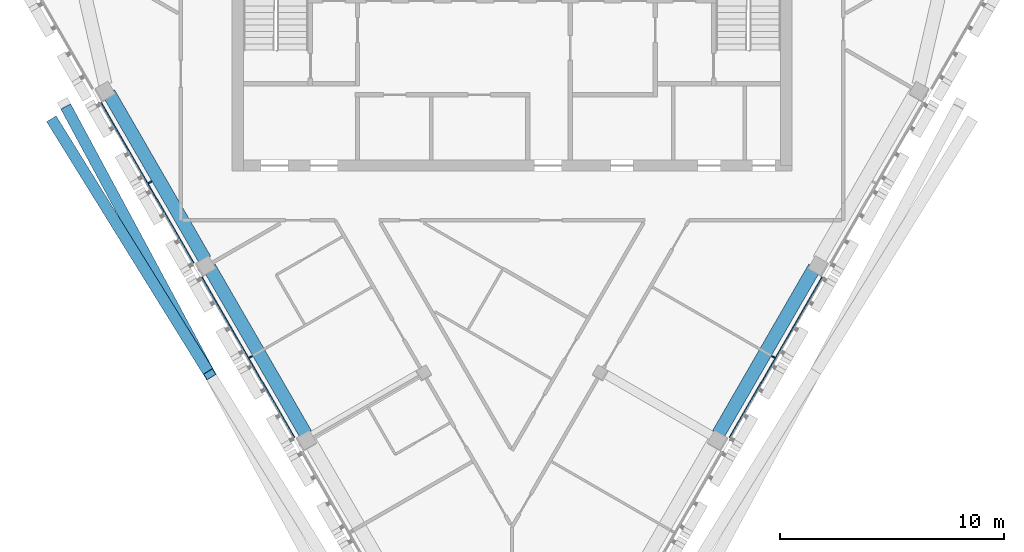
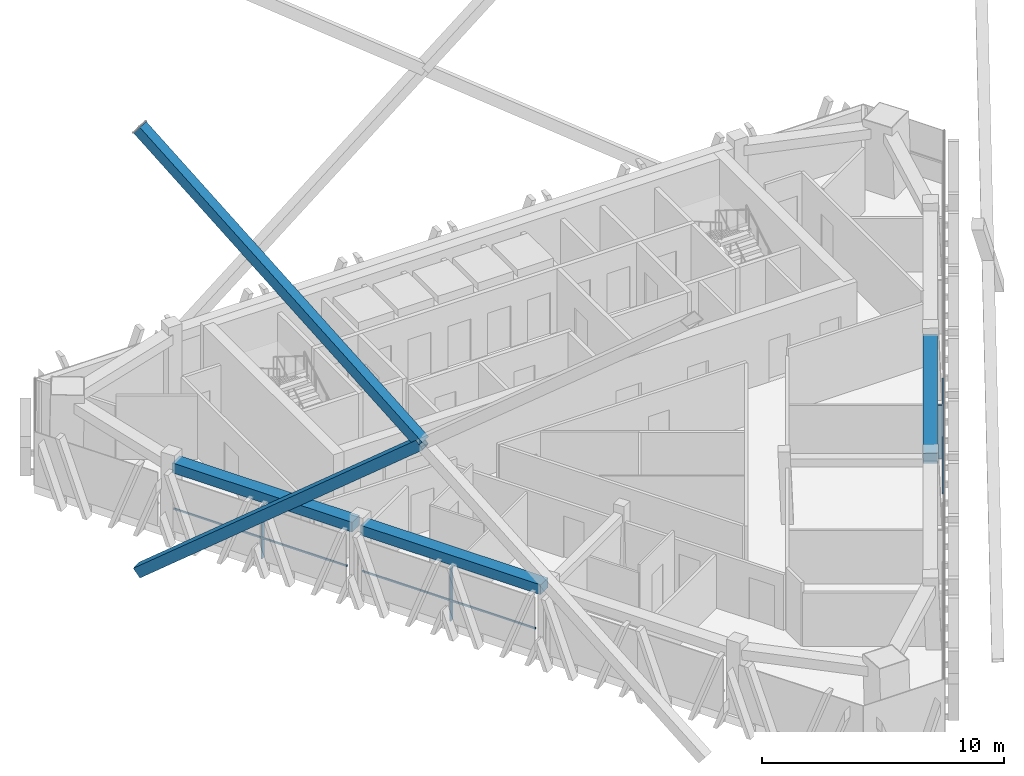
# One storey, part 3 of 12: 8 members, 3 beams, 2 elements without a shape of their own.
"""IFC4 building model written with IfcOpenShell, lengths in metres."""

from ifc_helpers import new_model, si_unit, direction, frame, origin, origin_2d, place, context, subcontext, project, spatial, rectangle, hollow_rectangle, extrude, material, layer, layer_set, material_profile, profile_set, type_object, element, aggregate, save


model = new_model("IFC4")

# Units and contexts
model_context = context("Model", 3, precision=1e-05, world=origin(), true_north=direction((0.0, 1.0)))
body_context = subcontext(model_context, "Body", "Model", "MODEL_VIEW")
ifc_project = project(units=[si_unit("LENGTHUNIT", "METRE"), si_unit("AREAUNIT", "SQUARE_METRE"), si_unit("VOLUMEUNIT", "CUBIC_METRE"), si_unit("PLANEANGLEUNIT", "RADIAN"), si_unit("MASSUNIT", "GRAM", prefix="KILO")], contexts=[model_context])

# Site, building, storey
site_placement = place(None, origin())
site = spatial("IfcSite", under=ifc_project, at=site_placement, CompositionType="ELEMENT")
building_placement = place(site_placement, origin())
building = spatial("IfcBuilding", under=site, at=building_placement, Name="Altiplano Prism Tower", CompositionType="ELEMENT")
storey_placement = place(building_placement, frame((0.0, 0.0, 313.0)))
storey = spatial("IfcBuildingStorey", under=building, at=storey_placement, Name="L81", CompositionType="ELEMENT", Elevation=313.0)

# Curtain wall, members
ifc_material_1 = material(Name="Aluminium and glass", Category="aluminium")
ifc_layer = layer(ifc_material_1, 0.280029296875)
ifc_layer_set = layer_set([ifc_layer], Name="Aluminium and glass")
curtain_wall_type = type_object("IfcCurtainWallType", Name="CW1 typical co-living unitised curtain wall", PredefinedType="NOTDEFINED", material=ifc_layer_set)
curtain_wall_1_placement = place(storey_placement, origin())
curtain_wall_1 = element("IfcCurtainWall", 1, at=curtain_wall_1_placement, inside=storey, type_object=curtain_wall_type, Name="CW1 curtain wall south-west face L81", PredefinedType="NOTDEFINED")
ifc_material_2 = material(Name="Aluminium", Category="aluminium")
ifc_material_profile_1 = material_profile(ifc_material_2, rectangle(XDim=0.179931640625, YDim=0.06494140625, at=origin_2d()), Name="CW1 mullion 65 x 180")
ifc_profile_set_1 = profile_set([ifc_material_profile_1], Name="Aluminium")
member_type_1 = type_object("IfcMemberType", Name="CW1 mullion 65 x 180", PredefinedType="MULLION", material=ifc_profile_set_1)
member_1_placement = place(storey_placement, frame((68.832763671875, 92.39599609375, 0.0), z_axis=(0.0, 0.0, 1.0), x_axis=(0.866025401463, 0.500000004021, 0.0)))
member_1 = element("IfcMember", 2, at=member_1_placement, type_object=member_type_1, Name="CW1 mullion", PredefinedType="MULLION", context=body_context, shape_type="SweptSolid", body=[
    extrude(rectangle(XDim=0.179931640625, YDim=0.06494140625, at=origin_2d()), origin(), (0.0, 0.0, 1.0), 2.699951171875),
])
member_2_placement = place(storey_placement, frame((73.332763671875, 84.601806640625, 0.0), z_axis=(0.0, 0.0, 1.0), x_axis=(0.866025401463, 0.500000004021, 0.0)))
member_2 = element("IfcMember", 3, at=member_2_placement, type_object=member_type_1, Name="CW1 mullion", PredefinedType="MULLION", context=body_context, shape_type="SweptSolid", body=[
    extrude(rectangle(XDim=0.179931640625, YDim=0.06494140625, at=origin_2d()), origin(), (0.0, 0.0, 1.0), 2.699951171875),
])

# Curtain wall, member
curtain_wall_2_placement = place(storey_placement, origin())
curtain_wall_2 = element("IfcCurtainWall", 4, at=curtain_wall_2_placement, inside=storey, type_object=curtain_wall_type, Name="CW1 curtain wall south-east face L81", PredefinedType="NOTDEFINED")
member_3_placement = place(storey_placement, frame((96.667236328125, 84.601806640625, 0.0), z_axis=(0.0, 0.0, 1.0), x_axis=(-0.866025401463, 0.500000004021, 0.0)))
member_3 = element("IfcMember", 5, at=member_3_placement, type_object=member_type_1, Name="CW1 mullion", PredefinedType="MULLION", context=body_context, shape_type="SweptSolid", body=[
    extrude(rectangle(XDim=0.179931640625, YDim=0.06494140625, at=origin_2d()), origin(), (0.0, 0.0, 1.0), 2.699951171875),
])

# Member
ifc_material_profile_2 = material_profile(ifc_material_2, rectangle(XDim=0.06005859375, YDim=0.080078125, at=origin_2d()), Name="CW1 transom 80 x 60")
ifc_profile_set_2 = profile_set([ifc_material_profile_2], Name="Aluminium")
member_type_2 = type_object("IfcMemberType", Name="CW1 transom 80 x 60", PredefinedType="USERDEFINED", material=ifc_profile_set_2)
member_4_placement = place(storey_placement, frame((66.6416015625, 95.951171875, 1.10009765625), z_axis=(0.50000951748, -0.866019908795, 0.0), x_axis=(0.866019908795, 0.50000951748, 0.0)))
member_4 = element("IfcMember", 6, at=member_4_placement, type_object=member_type_2, Name="CW1 transom", ObjectType="TRANSOM", PredefinedType="USERDEFINED", context=body_context, shape_type="SweptSolid", body=[
    extrude(rectangle(XDim=0.06005859375, YDim=0.080078125, at=origin_2d()), origin(), (0.0, 0.0, 1.0), 8.269775390625),
])

member_5_placement = place(storey_placement, frame((71.1416015625, 88.156982421875, 1.10009765625), z_axis=(0.50000951748, -0.866019908795, 0.0), x_axis=(0.866019908795, 0.50000951748, 0.0)))
member_5 = element("IfcMember", 7, at=member_5_placement, type_object=member_type_2, Name="CW1 transom", ObjectType="TRANSOM", PredefinedType="USERDEFINED", context=body_context, shape_type="SweptSolid", body=[
    extrude(rectangle(XDim=0.06005859375, YDim=0.080078125, at=origin_2d()), origin(), (0.0, 0.0, 1.0), 8.269775390625),
])

aggregate(curtain_wall_1, [member_1, member_4, member_2, member_5])

member_6_placement = place(storey_placement, frame((94.723388671875, 80.9951171875, 1.10009765625), z_axis=(0.50000951748, 0.866019908795, 0.0), x_axis=(-0.866019908795, 0.50000951748, 0.0)))
member_6 = element("IfcMember", 8, at=member_6_placement, type_object=member_type_2, Name="CW1 transom", ObjectType="TRANSOM", PredefinedType="USERDEFINED", context=body_context, shape_type="SweptSolid", body=[
    extrude(rectangle(XDim=0.06005859375, YDim=0.080078125, at=origin_2d()), origin(), (0.0, 0.0, 1.0), 8.269775390625),
])

aggregate(curtain_wall_2, [member_3, member_6])

# Beams
ifc_material_3 = material(Name="Concrete C60/75", Category="concrete")
ifc_material_profile_3 = material_profile(ifc_material_3, rectangle(XDim=0.60009765625, YDim=0.5, at=origin_2d()), Name="Edge beam 600x500")
ifc_profile_set_3 = profile_set([ifc_material_profile_3], Name="Concrete C60/75")
beam_type = type_object("IfcBeamType", Name="Edge beam 600x500", PredefinedType="SPANDREL", material=ifc_profile_set_3)
for number, where, z_axis, x_axis, name in (
    (9, (66.990478515625, 96.384033203125, 2.949951171875), (0.499990619765, -0.866030819398, 0.0), (0.866030819398, 0.499990619765, 0.0), "Edge beam P11-P12 L82"),
    (10, (71.490478515625, 88.58984375, 2.949951171875), (0.499990619765, -0.866030819398, 0.0), (0.866030819398, 0.499990619765, 0.0), "Edge beam P12-P13 L82"),
    (11, (94.214599609375, 81.150634765625, 2.949951171875), (0.499990619765, 0.866030819398, 0.0), (-0.866030819398, 0.499990619765, 0.0), "Edge beam P22-P23 L82"),
):
    element("IfcBeam", number, at=place(storey_placement, frame(where, z_axis=z_axis, x_axis=x_axis)), inside=storey, type_object=beam_type, Name=name, PredefinedType="SPANDREL", context=body_context, shape_type="SweptSolid", body=[
        extrude(rectangle(XDim=0.60009765625, YDim=0.5, at=origin_2d()), origin(), (0.0, 0.0, 1.0), 8.590087890625),
    ])

# Members
ifc_material_4 = material(Name="Steel S355", Category="steel")
ifc_material_profile_4 = material_profile(ifc_material_4, hollow_rectangle(XDim=0.5, YDim=0.5, WallThickness=0.02490234375, at=origin_2d()), Name="Mega brace Box 500x500x25")
ifc_profile_set_4 = profile_set([ifc_material_profile_4], Name="Steel S355")
member_type_3 = type_object("IfcMemberType", Name="Mega brace Box 500x500x25", PredefinedType="BRACE", material=ifc_profile_set_4)
member_7_placement = place(storey_placement, frame((64.512939453125, 95.09814453125, -0.75), z_axis=(0.407851811741, -0.657924759075, 0.633081283134), x_axis=(0.849938293125, 0.526882242897, 0.0)))
element("IfcMember", 12, at=member_7_placement, inside=storey, type_object=member_type_3, Name="Mega brace 9.1.1", PredefinedType="BRACE", context=body_context, shape_type="SweptSolid", body=[
    extrude(hollow_rectangle(XDim=0.5, YDim=0.5, WallThickness=0.02490234375, at=origin_2d()), origin(), (0.0, 0.0, 1.0), 17.138671875),
])
member_8_placement = place(storey_placement, frame((71.5029296875, 83.822265625, 10.10009765625), z_axis=(-0.371737782018, 0.691345437547, 0.619558316386), x_axis=(-0.880750216039, -0.473581098596, 0.0)))
element("IfcMember", 13, at=member_8_placement, inside=storey, type_object=member_type_3, Name="Mega brace 9.1.4", PredefinedType="BRACE", context=body_context, shape_type="SweptSolid", body=[
    extrude(hollow_rectangle(XDim=0.5, YDim=0.5, WallThickness=0.02490234375, at=origin_2d()), origin(), (0.0, 0.0, 1.0), 17.4873046875),
])

save(model, "model.ifc")
